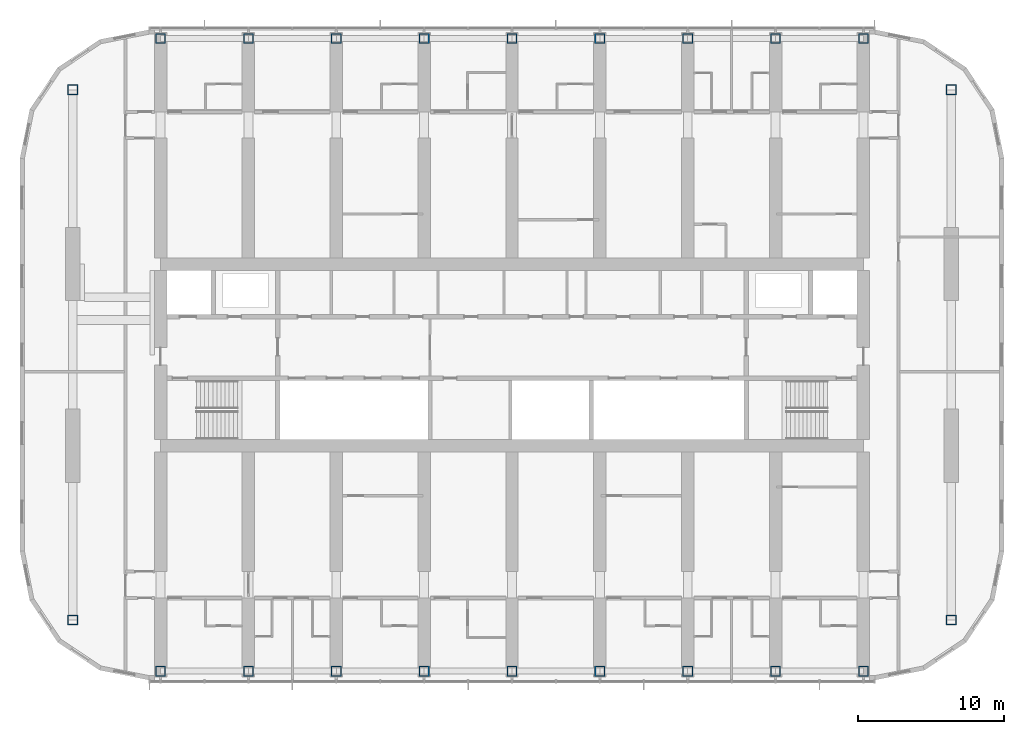
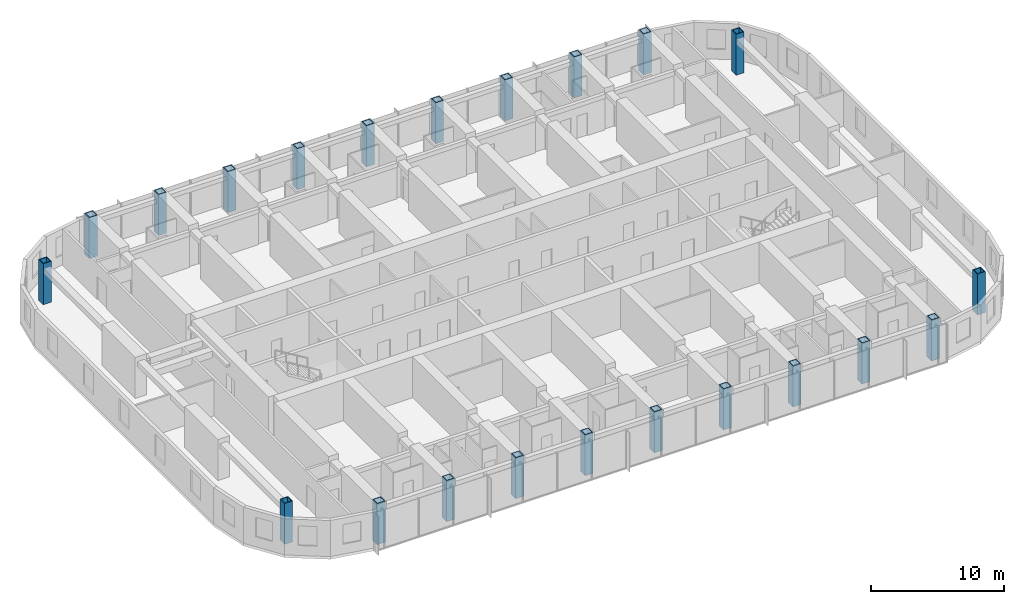
# One storey, part 1 of 22: 22 columns.
"""IFC4 building model written with IfcOpenShell, lengths in metres."""

from ifc_helpers import new_model, si_unit, direction, frame, origin, origin_2d, place, context, subcontext, project, spatial, hollow_rectangle, extrude, material, material_profile, profile_set, type_object, element, save


model = new_model("IFC4")

# Units and contexts
model_context = context("Model", 3, precision=1e-05, world=origin(), true_north=direction((0.0, 1.0)))
body_context = subcontext(model_context, "Body", "Model", "MODEL_VIEW")
ifc_project = project(units=[si_unit("LENGTHUNIT", "METRE"), si_unit("AREAUNIT", "SQUARE_METRE"), si_unit("VOLUMEUNIT", "CUBIC_METRE"), si_unit("PLANEANGLEUNIT", "RADIAN"), si_unit("MASSUNIT", "GRAM", prefix="KILO")], contexts=[model_context])

# Site, building, storey
site_placement = place(None, origin())
site = spatial("IfcSite", under=ifc_project, at=site_placement, CompositionType="ELEMENT")
building_placement = place(site_placement, origin())
building = spatial("IfcBuilding", under=site, at=building_placement, Name="Orbita Commons", CompositionType="ELEMENT")
storey_placement = place(building_placement, frame((0.0, 0.0, 189.85009765625)))
storey = spatial("IfcBuildingStorey", under=building, at=storey_placement, Name="L47", CompositionType="ELEMENT", Elevation=189.85009765625)

# Columns
ifc_material = material(Name="Steel ASTM A572 Gr 50 welded plate", Category="steel")
ifc_material_profile = material_profile(ifc_material, hollow_rectangle(XDim=0.699951171875, YDim=0.699951171875, WallThickness=0.070068359375, at=origin_2d()), Name="BOX 700x700x70")
ifc_profile_set = profile_set([ifc_material_profile], Name="Steel ASTM A572 Gr 50 welded plate")
column_type = type_object("IfcColumnType", Name="Steel column BOX 700x700x70", PredefinedType="COLUMN", material=ifc_profile_set)
for number, where, z_axis, x_axis, name in (
    (1, (18.0, 10.39990234375, 0.0), (0.0, 0.0, 1.0), (1.0, 0.0, 0.0), "Column 4/B L47"),
    (2, (18.0, 53.60009765625, 0.0), (0.0, 0.0, 1.0), (1.0, 0.0, 0.0), "Column 4/E L47"),
    (3, (24.0, 10.39990234375, 0.0), (0.0, 0.0, 1.0), (1.0, 0.0, 0.0), "Column 5/B L47"),
    (4, (24.0, 53.60009765625, 0.0), (0.0, 0.0, 1.0), (1.0, 0.0, 0.0), "Column 5/E L47"),
    (5, (30.0, 10.39990234375, 0.0), (0.0, 0.0, 1.0), (1.0, 0.0, 0.0), "Column 6/B L47"),
    (6, (30.0, 53.60009765625, 0.0), (0.0, 0.0, 1.0), (1.0, 0.0, 0.0), "Column 6/E L47"),
    (7, (36.0, 10.39990234375, 0.0), (0.0, 0.0, 1.0), (1.0, 0.0, 0.0), "Column 7/B L47"),
    (8, (36.0, 53.60009765625, 0.0), (0.0, 0.0, 1.0), (1.0, 0.0, 0.0), "Column 7/E L47"),
    (9, (42.0, 10.39990234375, 0.0), (0.0, 0.0, 1.0), (1.0, 0.0, 0.0), "Column 8/B L47"),
    (10, (42.0, 53.60009765625, 0.0), (0.0, 0.0, 1.0), (1.0, 0.0, 0.0), "Column 8/E L47"),
    (11, (48.0, 10.39990234375, 0.0), (0.0, 0.0, 1.0), (1.0, 0.0, 0.0), "Column 9/B L47"),
    (12, (48.0, 53.60009765625, 0.0), (0.0, 0.0, 1.0), (1.0, 0.0, 0.0), "Column 9/E L47"),
    (13, (54.0, 10.39990234375, 0.0), (0.0, 0.0, 1.0), (1.0, 0.0, 0.0), "Column 10/B L47"),
    (14, (54.0, 53.60009765625, 0.0), (0.0, 0.0, 1.0), (1.0, 0.0, 0.0), "Column 10/E L47"),
    (15, (60.0, 10.39990234375, 0.0), (0.0, 0.0, 1.0), (1.0, 0.0, 0.0), "Column 11/B L47"),
    (16, (60.0, 53.60009765625, 0.0), (0.0, 0.0, 1.0), (1.0, 0.0, 0.0), "Column 11/E L47"),
    (17, (66.0, 10.39990234375, 0.0), (0.0, 0.0, 1.0), (1.0, 0.0, 0.0), "Column 12/B L47"),
    (18, (66.0, 53.60009765625, 0.0), (0.0, 0.0, 1.0), (1.0, 0.0, 0.0), "Column 12/E L47"),
    (19, (12.0, 13.89990234375, 0.0), (0.0, 0.0, 1.0), (1.0, 0.0, 0.0), "Column 3/13.9 L47"),
    (20, (12.0, 50.10009765625, 0.0), (0.0, 0.0, 1.0), (1.0, 0.0, 0.0), "Column 3/50.1 L47"),
    (21, (72.0, 13.89990234375, 0.0), (0.0, 0.0, 1.0), (1.0, 0.0, 0.0), "Column 13/13.9 L47"),
    (22, (72.0, 50.10009765625, 0.0), (0.0, 0.0, 1.0), (1.0, 0.0, 0.0), "Column 13/50.1 L47"),
):
    element("IfcColumn", number, at=place(storey_placement, frame(where, z_axis=z_axis, x_axis=x_axis)), inside=storey, type_object=column_type, Name=name, PredefinedType="COLUMN", context=body_context, shape_type="SweptSolid", body=[
        extrude(hollow_rectangle(XDim=0.699951171875, YDim=0.699951171875, WallThickness=0.070068359375, at=origin_2d()), origin(), (0.0, 0.0, 1.0), 3.75),
    ])

save(model, "model.ifc")
